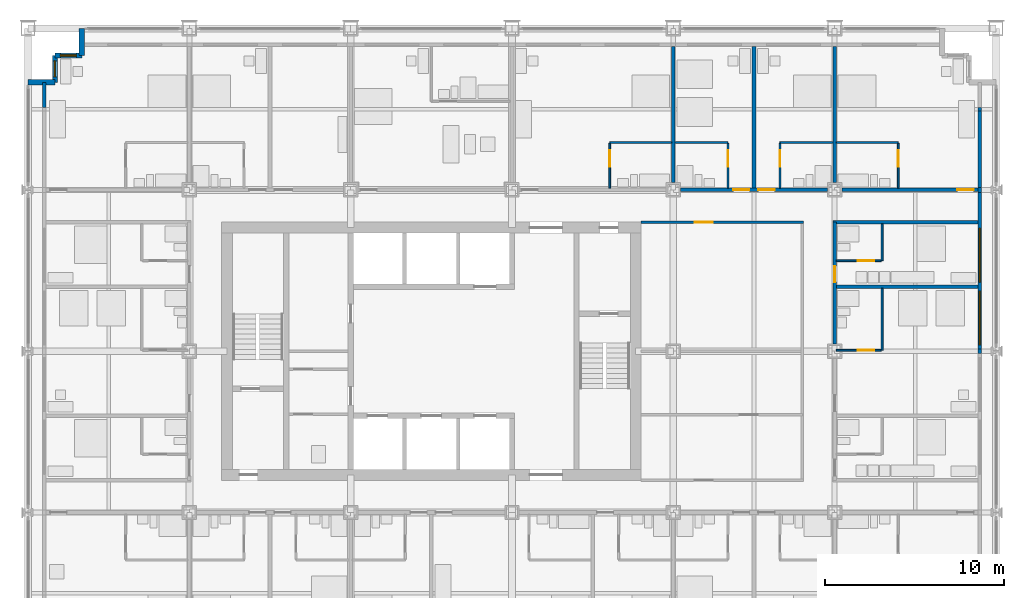
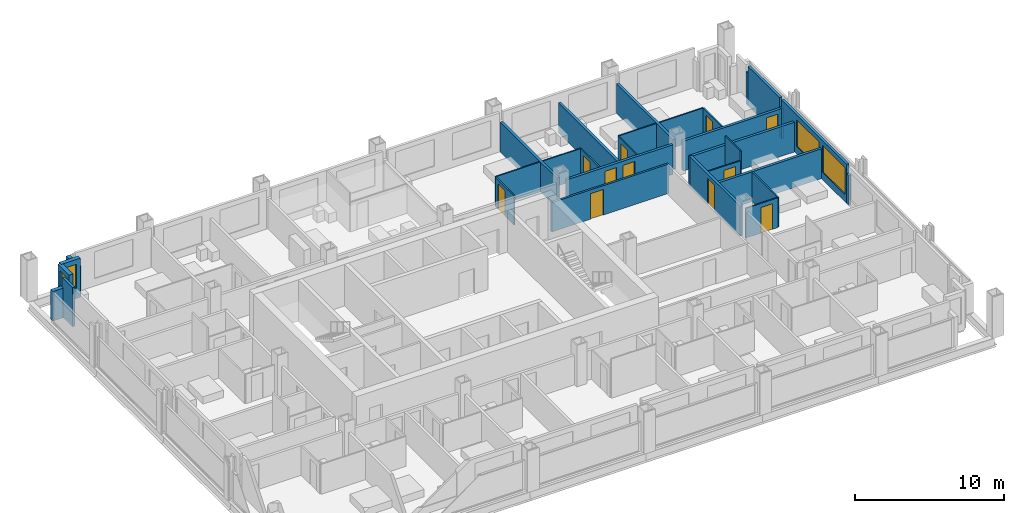
# One storey, part 14 of 18: 31 walls, 11 doors, 4 windows, 15 openings.
"""IFC4 building model written with IfcOpenShell, lengths in metres."""

import ifcopenshell
import ifcopenshell.guid

model = None  # the IFC model being written
_history = None  # IfcOwnerHistory: only IFC2X3 demands one
_inside = {}  # id of a spatial element -> (the spatial element, [elements in it])
_under = {}  # id of a project, library or spatial element -> (it, [spatial elements below it])
_declared = {}  # id of a project -> (the project, [libraries it declares])
_typed = {}  # id of a type object -> (the type object, [elements of that type])
_made_of = {}  # id of a material, layer set ... -> (it, [elements and type objects made of it])


def new_model(schema):
    """Start an empty IFC model of exactly this schema.

    Asked for "IFC4X3", IfcOpenShell would pick the latest addendum, in which some entities
    have other attributes; the version numbers below select the first issue.
    IFC2X3 requires an IfcOwnerHistory on every rooted entity: one is made here for all.
    """
    global model, _history
    if schema == "IFC4X3":
        model = ifcopenshell.file(schema_version=(4, 3, 0, 0))
    else:
        model = ifcopenshell.file(schema=schema)
    _inside.clear()
    _under.clear()
    _declared.clear()
    _typed.clear()
    _made_of.clear()
    _history = None
    if model.schema == "IFC2X3":
        org = make("IfcOrganization", Name="unknown")
        user = make(
            "IfcPersonAndOrganization",
            ThePerson=make("IfcPerson", FamilyName="unknown"),
            TheOrganization=org,
        )
        app = make(
            "IfcApplication",
            ApplicationDeveloper=org,
            Version="unknown",
            ApplicationFullName="unknown",
            ApplicationIdentifier="unknown",
        )
        _history = make(
            "IfcOwnerHistory",
            OwningUser=user,
            OwningApplication=app,
            ChangeAction="ADDED",
            CreationDate=0,
        )
    return model


def make(cls, **values):
    """One entity of the class cls with the attributes given. An attribute that is None is left unset."""
    return model.create_entity(
        cls, **{name: value for name, value in values.items() if value is not None}
    )


def rooted(cls, **values):
    """An entity with a GlobalId (a new one), such as an element, a storey or a relation."""
    return make(cls, GlobalId=ifcopenshell.guid.new(), OwnerHistory=_history, **values)


def si_unit(unit_type, name, prefix=None):
    """IfcSIUnit, for example si_unit("LENGTHUNIT", "METRE", prefix="MILLI")."""
    return make("IfcSIUnit", UnitType=unit_type, Prefix=prefix, Name=name)


def assignment(units):
    """IfcUnitAssignment: the units of a project."""
    return None if units is None else make("IfcUnitAssignment", Units=units)


def point(xyz):
    """IfcCartesianPoint."""
    return None if xyz is None else make("IfcCartesianPoint", Coordinates=xyz)


def direction(xyz):
    """IfcDirection."""
    return None if xyz is None else make("IfcDirection", DirectionRatios=xyz)


def frame(location, z_axis=None, x_axis=None):
    """IfcAxis2Placement3D, a coordinate frame: its origin and axes. An axis left out is left unset."""
    return make(
        "IfcAxis2Placement3D",
        Location=point(location),
        Axis=direction(z_axis),
        RefDirection=direction(x_axis),
    )


def frame_2d(location, x_axis=None):
    """IfcAxis2Placement2D, a coordinate frame in the plane: its origin and x axis."""
    return make(
        "IfcAxis2Placement2D", Location=point(location), RefDirection=direction(x_axis)
    )


def origin():
    """The frame at (0, 0, 0) with its axes left unset."""
    return frame((0.0, 0.0, 0.0))


def place(relative_to, where):
    """IfcLocalPlacement: puts the frame where relative to a parent placement (None: the world)."""
    return make(
        "IfcLocalPlacement", PlacementRelTo=relative_to, RelativePlacement=where
    )


def context(
    kind, dimensions, precision=None, world=None, true_north=None, identifier=None
):
    """IfcGeometricRepresentationContext, for example the 3D "Model" context."""
    return make(
        "IfcGeometricRepresentationContext",
        ContextIdentifier=identifier,
        ContextType=kind,
        CoordinateSpaceDimension=dimensions,
        Precision=precision,
        WorldCoordinateSystem=world,
        TrueNorth=true_north,
    )


def subcontext(parent, identifier, kind, view, scale=None):
    """IfcGeometricRepresentationSubContext, for example "Body" below "Model"."""
    return make(
        "IfcGeometricRepresentationSubContext",
        ContextIdentifier=identifier,
        ContextType=kind,
        ParentContext=parent,
        TargetScale=scale,
        TargetView=view,
    )


def project(units=None, contexts=None):
    """IfcProject with its units and contexts."""
    return rooted(
        "IfcProject",
        Name="project",
        RepresentationContexts=contexts,
        UnitsInContext=assignment(units),
    )


def spatial(cls, under=None, at=None, **own):
    """A site, building, storey or space (cls), placed at a placement, below another one or the project."""
    s = rooted(cls, ObjectPlacement=at, **own)
    if under is not None:
        _under.setdefault(under.id(), (under, []))[1].append(s)
    return s


def profile(cls, at=None, kind="AREA", **sizes):
    """A parametric profile (cls). Its sizes go by their IFC names, for example OverallWidth=200.0."""
    return make(cls, ProfileType=kind, Position=at, **sizes)


def rectangle(**sizes):
    """IfcRectangleProfileDef."""
    return profile("IfcRectangleProfileDef", **sizes)


def extrude(swept, where, along, depth):
    """IfcExtrudedAreaSolid: the profile swept, set in the frame where, extruded along a direction by depth."""
    return make(
        "IfcExtrudedAreaSolid",
        SweptArea=swept,
        Position=where,
        ExtrudedDirection=direction(along),
        Depth=depth,
    )


def shape(context_of_items, identifier, shape_type, items):
    """IfcShapeRepresentation: the items that make up one representation, for example the "Body"."""
    return make(
        "IfcShapeRepresentation",
        ContextOfItems=context_of_items,
        RepresentationIdentifier=identifier,
        RepresentationType=shape_type,
        Items=items,
    )


def material(Name=None, Category=None):
    """IfcMaterial."""
    return make("IfcMaterial", Name=Name, Category=Category)


def layer(
    of_material, thickness, ventilated=None, Name=None, Category=None, Priority=None
):
    """IfcMaterialLayer: one layer of a wall or slab, of a material (None: an air gap)."""
    return make(
        "IfcMaterialLayer",
        Material=of_material,
        LayerThickness=thickness,
        IsVentilated=ventilated,
        Name=Name,
        Category=Category,
        Priority=Priority,
    )


def layer_set(layers, Name=None):
    """IfcMaterialLayerSet."""
    return make("IfcMaterialLayerSet", MaterialLayers=layers, LayerSetName=Name)


def made_of(thing, what):
    """Note that an element or type object is made of a material, layer set ...; save() writes the relation."""
    if what is not None:
        _made_of.setdefault(what.id(), (what, []))[1].append(thing)
    return thing


def type_object(cls, material=None, **own):
    """A type object (cls), such as IfcWallType, which elements share."""
    return made_of(rooted(cls, **own), material)


def element(
    cls,
    number,
    at=None,
    inside=None,
    cuts=None,
    type_object=None,
    material=None,
    context=None,
    identifier="Body",
    shape_type=None,
    held_by="IfcProductDefinitionShape",
    body=None,
    shapes=None,
    **own,
):
    """One element of the class cls, such as IfcWall. Its Tag is "e" and its number.

    at: its placement. inside: the storey or other place that contains it. cuts: it is an
    opening in that element (IfcRelVoidsElement). A single representation is given by context,
    identifier, shape_type and body (its items); several are given by shapes. held_by: the class
    of the entity that holds the representations. save() writes the other relations.
    """
    e = rooted(cls, Tag="e%d" % number, ObjectPlacement=at, **own)
    if body is not None:
        shapes = [shape(context, identifier, shape_type, body)]
    if shapes is not None:
        e.Representation = make(held_by, Representations=shapes)
    if inside is not None:
        _inside.setdefault(inside.id(), (inside, []))[1].append(e)
    if cuts is not None:
        rooted(
            "IfcRelVoidsElement", RelatingBuildingElement=cuts, RelatedOpeningElement=e
        )
    if type_object is not None:
        _typed.setdefault(type_object.id(), (type_object, []))[1].append(e)
    return made_of(e, material)


def fill(opening, filler):
    """IfcRelFillsElement: the door or window that sits in an opening."""
    return rooted(
        "IfcRelFillsElement",
        RelatingOpeningElement=opening,
        RelatedBuildingElement=filler,
    )


def aggregate(whole, parts):
    """IfcRelAggregates: a whole, such as a stair, and the parts it consists of."""
    return rooted("IfcRelAggregates", RelatingObject=whole, RelatedObjects=parts)


def save(model, path):
    """Write the relations noted so far, then the file.

    IfcRelAggregates (storeys below a building ...), IfcRelContainedInSpatialStructure (elements
    in a storey), IfcRelDefinesByType, IfcRelAssociatesMaterial and IfcRelDeclares: one each for
    every whole, place, type object, material and project.
    """
    for whole, parts in _under.values():
        aggregate(whole, parts)
    for where, things in _inside.values():
        rooted(
            "IfcRelContainedInSpatialStructure",
            RelatedElements=things,
            RelatingStructure=where,
        )
    for kind, things in _typed.values():
        rooted("IfcRelDefinesByType", RelatedObjects=things, RelatingType=kind)
    for what, things in _made_of.values():
        rooted("IfcRelAssociatesMaterial", RelatedObjects=things, RelatingMaterial=what)
    for by, libraries in _declared.values():
        rooted("IfcRelDeclares", RelatingContext=by, RelatedDefinitions=libraries)
    model.write(path)


model = new_model("IFC4")

# Units and contexts
model_context = context("Model", 3, precision=1e-05, world=origin(), true_north=direction((0.0, 1.0)))
body_context = subcontext(model_context, "Body", "Model", "MODEL_VIEW")
ifc_project = project(units=[si_unit("LENGTHUNIT", "METRE"), si_unit("AREAUNIT", "SQUARE_METRE"), si_unit("VOLUMEUNIT", "CUBIC_METRE"), si_unit("PLANEANGLEUNIT", "RADIAN"), si_unit("MASSUNIT", "GRAM", prefix="KILO")], contexts=[model_context])

# Site, building, storey
site_placement = place(None, origin())
site = spatial("IfcSite", under=ifc_project, at=site_placement, CompositionType="ELEMENT")
building_placement = place(site_placement, origin())
building = spatial("IfcBuilding", under=site, at=building_placement, Name="Loomwork Tower", CompositionType="ELEMENT")
storey_placement = place(building_placement, frame((0.0, 0.0, 82.39990234375)))
storey = spatial("IfcBuildingStorey", under=building, at=storey_placement, Name="L21", CompositionType="ELEMENT", Elevation=82.39990234375)

# Wall, openings, doors
ifc_material_1 = material(Name="Gypsum board on steel studs, one-hour", Category="steel")
ifc_layer_1 = layer(ifc_material_1, 0.199951171875)
ifc_layer_set_1 = layer_set([ifc_layer_1], Name="Corridor wall 200")
wall_type_1 = type_object("IfcWallType", Name="Corridor wall 200", PredefinedType="PARTITIONING", material=ifc_layer_set_1)
wall_1_placement = place(storey_placement, frame((36.39990234375, 27.0, 0.0), z_axis=(0.0, 0.0, 1.0), x_axis=(1.0, 0.0, 0.0)))
wall_1 = element("IfcWall", 1, at=wall_1_placement, inside=storey, type_object=wall_type_1, Name="North corridor wall 5", PredefinedType="PARTITIONING", context=body_context, shape_type="SweptSolid", body=[
    extrude(rectangle(XDim=8.2001953125, YDim=0.199951171875, at=frame_2d((4.10009765625, 0.0))), origin(), (0.0, 0.0, 1.0), 2.43798828125),
])
opening_1_placement = place(wall_1_placement, frame((2.949951171875, 0.0, 0.0)))
opening_1 = element("IfcOpeningElement", 2, at=opening_1_placement, cuts=wall_1, Name="Opening D1", PredefinedType="OPENING", context=body_context, shape_type="SweptSolid", body=[
    extrude(rectangle(XDim=0.89990234375, YDim=2.10009765625, at=frame_2d((0.449951171875, 1.050048828125))), frame((0.0, 0.10986328125, 0.0), z_axis=(0.0, -1.0, 0.0), x_axis=(1.0, 0.0, 0.0)), (0.0, 0.0, 1.0), 0.219970703125),
])
opening_2_placement = place(wall_1_placement, frame((4.35009765625, 0.0, 0.0)))
opening_2 = element("IfcOpeningElement", 3, at=opening_2_placement, cuts=wall_1, Name="Opening D1", PredefinedType="OPENING", context=body_context, shape_type="SweptSolid", body=[
    extrude(rectangle(XDim=0.89990234375, YDim=2.10009765625, at=frame_2d((0.449951171875, 1.050048828125))), frame((0.0, 0.10986328125, 0.0), z_axis=(0.0, -1.0, 0.0), x_axis=(1.0, 0.0, 0.0)), (0.0, 0.0, 1.0), 0.219970703125),
])
ifc_material_2 = material(Name="Hollow metal door and frame")
door_type_1 = type_object("IfcDoorType", Name="Guest room entry door 900", OperationType="SINGLE_SWING_LEFT", PredefinedType="DOOR", material=ifc_material_2)
door_1_placement = place(opening_1_placement, origin())
door_1 = element("IfcDoor", 4, at=door_1_placement, inside=storey, type_object=door_type_1, Name="Guest room entry door L21 15", OperationType="SINGLE_SWING_RIGHT", OverallHeight=2.10009765625, OverallWidth=0.89990234375, PredefinedType="DOOR", context=body_context, shape_type="SweptSolid", body=[
    extrude(rectangle(XDim=0.89990234375, YDim=2.10009765625, at=frame_2d((0.449951171875, 1.050048828125))), frame((0.0, 0.02490234375, 0.0), z_axis=(0.0, -1.0, 0.0), x_axis=(1.0, 0.0, 0.0)), (0.0, 0.0, 1.0), 0.050048828125),
])
fill(opening_1, door_1)
door_2_placement = place(opening_2_placement, origin())
door_2 = element("IfcDoor", 5, at=door_2_placement, inside=storey, type_object=door_type_1, Name="Guest room entry door L21 16", OperationType="SINGLE_SWING_LEFT", OverallHeight=2.10009765625, OverallWidth=0.89990234375, PredefinedType="DOOR", context=body_context, shape_type="SweptSolid", body=[
    extrude(rectangle(XDim=0.89990234375, YDim=2.10009765625, at=frame_2d((0.449951171875, 1.050048828125))), frame((0.0, 0.02490234375, 0.0), z_axis=(0.0, -1.0, 0.0), x_axis=(1.0, 0.0, 0.0)), (0.0, 0.0, 1.0), 0.050048828125),
])
fill(opening_2, door_2)

# Wall, opening, door
wall_2_placement = place(storey_placement, frame((45.39990234375, 27.0, 0.0), z_axis=(0.0, 0.0, 1.0), x_axis=(1.0, 0.0, 0.0)))
wall_2 = element("IfcWall", 6, at=wall_2_placement, inside=storey, type_object=wall_type_1, Name="North corridor wall 6", PredefinedType="PARTITIONING", context=body_context, shape_type="SweptSolid", body=[
    extrude(rectangle(XDim=7.60009765625, YDim=0.199951171875, at=frame_2d((3.800048828125, 0.0))), origin(), (0.0, 0.0, 1.0), 2.43798828125),
])
opening_3_placement = place(wall_2_placement, frame((6.449951171875, 0.0, 0.0)))
opening_3 = element("IfcOpeningElement", 7, at=opening_3_placement, cuts=wall_2, Name="Opening D1", PredefinedType="OPENING", context=body_context, shape_type="SweptSolid", body=[
    extrude(rectangle(XDim=0.89990234375, YDim=2.10009765625, at=frame_2d((0.449951171875, 1.050048828125))), frame((0.0, 0.10986328125, 0.0), z_axis=(0.0, -1.0, 0.0), x_axis=(1.0, 0.0, 0.0)), (0.0, 0.0, 1.0), 0.219970703125),
])
door_3_placement = place(opening_3_placement, origin())
door_3 = element("IfcDoor", 8, at=door_3_placement, inside=storey, type_object=door_type_1, Name="Guest room entry door L21 17", OperationType="SINGLE_SWING_RIGHT", OverallHeight=2.10009765625, OverallWidth=0.89990234375, PredefinedType="DOOR", context=body_context, shape_type="SweptSolid", body=[
    extrude(rectangle(XDim=0.89990234375, YDim=2.10009765625, at=frame_2d((0.449951171875, 1.050048828125))), frame((0.0, 0.02490234375, 0.0), z_axis=(0.0, -1.0, 0.0), x_axis=(1.0, 0.0, 0.0)), (0.0, 0.0, 1.0), 0.050048828125),
])
fill(opening_3, door_3)

wall_3_placement = place(storey_placement, frame((45.0, 18.39990234375, 0.0), z_axis=(0.0, 0.0, 1.0), x_axis=(0.0, 1.0, 0.0)))
wall_3 = element("IfcWall", 9, at=wall_3_placement, inside=storey, type_object=wall_type_1, Name="East corridor wall 2", PredefinedType="PARTITIONING", context=body_context, shape_type="SweptSolid", body=[
    extrude(rectangle(XDim=6.800048828125, YDim=0.199951171875, at=frame_2d((3.39990234375, 0.0))), origin(), (0.0, 0.0, 1.0), 2.43798828125),
])
opening_4_placement = place(wall_3_placement, frame((3.449951171875, 0.0, 0.0)))
opening_4 = element("IfcOpeningElement", 10, at=opening_4_placement, cuts=wall_3, Name="Opening D1", PredefinedType="OPENING", context=body_context, shape_type="SweptSolid", body=[
    extrude(rectangle(XDim=0.89990234375, YDim=2.10009765625, at=frame_2d((0.449951171875, 1.050048828125))), frame((0.0, 0.10986328125, 0.0), z_axis=(0.0, -1.0, 0.0), x_axis=(1.0, 0.0, 0.0)), (0.0, 0.0, 1.0), 0.219970703125),
])
door_4_placement = place(opening_4_placement, frame((0.89990234375, 0.0, 0.0), z_axis=(0.0, 0.0, 1.0), x_axis=(-1.0, 0.0, 0.0)))
door_4 = element("IfcDoor", 11, at=door_4_placement, inside=storey, type_object=door_type_1, Name="Guest room entry door L21 23", OperationType="SINGLE_SWING_RIGHT", OverallHeight=2.10009765625, OverallWidth=0.89990234375, PredefinedType="DOOR", context=body_context, shape_type="SweptSolid", body=[
    extrude(rectangle(XDim=0.89990234375, YDim=2.10009765625, at=frame_2d((0.449951171875, 1.050048828125))), frame((0.0, 0.02490234375, 0.0), z_axis=(0.0, -1.0, 0.0), x_axis=(1.0, 0.0, 0.0)), (0.0, 0.0, 1.0), 0.050048828125),
])
fill(opening_4, door_4)

# Walls
wall_4_placement = place(storey_placement, frame((44.89990234375, 25.199951171875, 0.0), z_axis=(0.0, 0.0, 1.0), x_axis=(1.0, 0.0, 0.0)))
element("IfcWall", 12, at=wall_4_placement, inside=storey, type_object=wall_type_1, Name="East band end wall N", PredefinedType="PARTITIONING", context=body_context, shape_type="SweptSolid", body=[
    extrude(rectangle(XDim=8.10009765625, YDim=0.199951171875, at=frame_2d((4.050048828125, 0.0))), origin(), (0.0, 0.0, 1.0), 2.43798828125),
])
ifc_material_3 = material(Name="Cement board on steel studs", Category="steel")
ifc_layer_2 = layer(ifc_material_3, 0.10009765625)
ifc_layer_set_2 = layer_set([ifc_layer_2], Name="En-suite partition 100")
wall_type_2 = type_object("IfcWallType", Name="En-suite partition 100", PredefinedType="PARTITIONING", material=ifc_layer_set_2)
wall_5_placement = place(storey_placement, frame((32.449951171875, 29.64990234375, 0.0), z_axis=(0.0, 0.0, 1.0), x_axis=(1.0, 0.0, 0.0)))
element("IfcWall", 13, at=wall_5_placement, inside=storey, type_object=wall_type_2, Name="En-suite wall L21 room 14", PredefinedType="PARTITIONING", context=body_context, shape_type="SweptSolid", body=[
    extrude(rectangle(XDim=3.449951171875, YDim=0.10009765625, at=frame_2d((1.72509765625, 0.0))), origin(), (0.0, 0.0, 1.0), 2.43798828125),
])

# Wall, opening, door
wall_6_placement = place(storey_placement, frame((32.449951171875, 27.10009765625, 0.0), z_axis=(0.0, 0.0, 1.0), x_axis=(0.0, 1.0, 0.0)))
wall_6 = element("IfcWall", 14, at=wall_6_placement, inside=storey, type_object=wall_type_2, Name="En-suite side wall L21 room 14", PredefinedType="PARTITIONING", context=body_context, shape_type="SweptSolid", body=[
    extrude(rectangle(XDim=2.5, YDim=0.10009765625, at=frame_2d((1.25, 0.0))), origin(), (0.0, 0.0, 1.0), 2.404052734375),
])
opening_5_placement = place(wall_6_placement, frame((1.199951171875, 0.0, 0.0)))
opening_5 = element("IfcOpeningElement", 15, at=opening_5_placement, cuts=wall_6, Name="Opening D2", PredefinedType="OPENING", context=body_context, shape_type="SweptSolid", body=[
    extrude(rectangle(XDim=0.89990234375, YDim=2.10009765625, at=frame_2d((0.449951171875, 1.050048828125))), frame((0.0, 0.06005859375, 0.0), z_axis=(0.0, -1.0, 0.0), x_axis=(1.0, 0.0, 0.0)), (0.0, 0.0, 1.0), 0.1201171875),
])
ifc_material_4 = material(Name="Hollow metal door and frame")
door_type_2 = type_object("IfcDoorType", Name="En-suite door 900", OperationType="SINGLE_SWING_LEFT", PredefinedType="DOOR", material=ifc_material_4)
door_5_placement = place(opening_5_placement, frame((0.89990234375, 0.0, 0.0), z_axis=(0.0, 0.0, 1.0), x_axis=(-1.0, 0.0, 0.0)))
door_5 = element("IfcDoor", 16, at=door_5_placement, inside=storey, type_object=door_type_2, Name="En-suite door room 14", OperationType="SINGLE_SWING_LEFT", OverallHeight=2.10009765625, OverallWidth=0.89990234375, PredefinedType="DOOR", context=body_context, shape_type="SweptSolid", body=[
    extrude(rectangle(XDim=0.89990234375, YDim=2.10009765625, at=frame_2d((0.449951171875, 1.050048828125))), frame((0.0, 0.02490234375, 0.0), z_axis=(0.0, -1.0, 0.0), x_axis=(1.0, 0.0, 0.0)), (0.0, 0.0, 1.0), 0.050048828125),
])
fill(opening_5, door_5)

# Wall
wall_7_placement = place(storey_placement, frame((36.10009765625, 29.64990234375, 0.0), z_axis=(0.0, 0.0, 1.0), x_axis=(1.0, 0.0, 0.0)))
element("IfcWall", 17, at=wall_7_placement, inside=storey, type_object=wall_type_2, Name="En-suite wall L21 room 15", PredefinedType="PARTITIONING", context=body_context, shape_type="SweptSolid", body=[
    extrude(rectangle(XDim=2.949951171875, YDim=0.10009765625, at=frame_2d((1.47509765625, 0.0))), origin(), (0.0, 0.0, 1.0), 2.43798828125),
])

# Wall, opening, door
wall_8_placement = place(storey_placement, frame((39.050048828125, 27.10009765625, 0.0), z_axis=(0.0, 0.0, 1.0), x_axis=(0.0, 1.0, 0.0)))
wall_8 = element("IfcWall", 18, at=wall_8_placement, inside=storey, type_object=wall_type_2, Name="En-suite side wall L21 room 15", PredefinedType="PARTITIONING", context=body_context, shape_type="SweptSolid", body=[
    extrude(rectangle(XDim=2.5, YDim=0.10009765625, at=frame_2d((1.25, 0.0))), origin(), (0.0, 0.0, 1.0), 2.43798828125),
])
opening_6_placement = place(wall_8_placement, frame((1.199951171875, 0.0, 0.0)))
opening_6 = element("IfcOpeningElement", 19, at=opening_6_placement, cuts=wall_8, Name="Opening D2", PredefinedType="OPENING", context=body_context, shape_type="SweptSolid", body=[
    extrude(rectangle(XDim=0.89990234375, YDim=2.10009765625, at=frame_2d((0.449951171875, 1.050048828125))), frame((0.0, 0.06005859375, 0.0), z_axis=(0.0, -1.0, 0.0), x_axis=(1.0, 0.0, 0.0)), (0.0, 0.0, 1.0), 0.1201171875),
])
door_6_placement = place(opening_6_placement, origin())
door_6 = element("IfcDoor", 20, at=door_6_placement, inside=storey, type_object=door_type_2, Name="En-suite door room 15", OperationType="SINGLE_SWING_RIGHT", OverallHeight=2.10009765625, OverallWidth=0.89990234375, PredefinedType="DOOR", context=body_context, shape_type="SweptSolid", body=[
    extrude(rectangle(XDim=0.89990234375, YDim=2.10009765625, at=frame_2d((0.449951171875, 1.050048828125))), frame((0.0, 0.02490234375, 0.0), z_axis=(0.0, -1.0, 0.0), x_axis=(1.0, 0.0, 0.0)), (0.0, 0.0, 1.0), 0.050048828125),
])
fill(opening_6, door_6)

# Wall
wall_9_placement = place(storey_placement, frame((41.949951171875, 29.64990234375, 0.0), z_axis=(0.0, 0.0, 1.0), x_axis=(1.0, 0.0, 0.0)))
element("IfcWall", 21, at=wall_9_placement, inside=storey, type_object=wall_type_2, Name="En-suite wall L21 room 16", PredefinedType="PARTITIONING", context=body_context, shape_type="SweptSolid", body=[
    extrude(rectangle(XDim=2.949951171875, YDim=0.10009765625, at=frame_2d((1.47509765625, 0.0))), origin(), (0.0, 0.0, 1.0), 2.43798828125),
])

# Wall, opening, door
wall_10_placement = place(storey_placement, frame((41.949951171875, 27.10009765625, 0.0), z_axis=(0.0, 0.0, 1.0), x_axis=(0.0, 1.0, 0.0)))
wall_10 = element("IfcWall", 22, at=wall_10_placement, inside=storey, type_object=wall_type_2, Name="En-suite side wall L21 room 16", PredefinedType="PARTITIONING", context=body_context, shape_type="SweptSolid", body=[
    extrude(rectangle(XDim=2.5, YDim=0.10009765625, at=frame_2d((1.25, 0.0))), origin(), (0.0, 0.0, 1.0), 2.43798828125),
])
opening_7_placement = place(wall_10_placement, frame((1.199951171875, 0.0, 0.0)))
opening_7 = element("IfcOpeningElement", 23, at=opening_7_placement, cuts=wall_10, Name="Opening D2", PredefinedType="OPENING", context=body_context, shape_type="SweptSolid", body=[
    extrude(rectangle(XDim=0.89990234375, YDim=2.10009765625, at=frame_2d((0.449951171875, 1.050048828125))), frame((0.0, 0.06005859375, 0.0), z_axis=(0.0, -1.0, 0.0), x_axis=(1.0, 0.0, 0.0)), (0.0, 0.0, 1.0), 0.1201171875),
])
door_7_placement = place(opening_7_placement, frame((0.89990234375, 0.0, 0.0), z_axis=(0.0, 0.0, 1.0), x_axis=(-1.0, 0.0, 0.0)))
door_7 = element("IfcDoor", 24, at=door_7_placement, inside=storey, type_object=door_type_2, Name="En-suite door room 16", OperationType="SINGLE_SWING_LEFT", OverallHeight=2.10009765625, OverallWidth=0.89990234375, PredefinedType="DOOR", context=body_context, shape_type="SweptSolid", body=[
    extrude(rectangle(XDim=0.89990234375, YDim=2.10009765625, at=frame_2d((0.449951171875, 1.050048828125))), frame((0.0, 0.02490234375, 0.0), z_axis=(0.0, -1.0, 0.0), x_axis=(1.0, 0.0, 0.0)), (0.0, 0.0, 1.0), 0.050048828125),
])
fill(opening_7, door_7)

# Wall
wall_11_placement = place(storey_placement, frame((45.10009765625, 29.64990234375, 0.0), z_axis=(0.0, 0.0, 1.0), x_axis=(1.0, 0.0, 0.0)))
element("IfcWall", 25, at=wall_11_placement, inside=storey, type_object=wall_type_2, Name="En-suite wall L21 room 17", PredefinedType="PARTITIONING", context=body_context, shape_type="SweptSolid", body=[
    extrude(rectangle(XDim=3.449951171875, YDim=0.10009765625, at=frame_2d((1.72509765625, 0.0))), origin(), (0.0, 0.0, 1.0), 2.43798828125),
])

# Wall, opening, door
wall_12_placement = place(storey_placement, frame((48.550048828125, 27.10009765625, 0.0), z_axis=(0.0, 0.0, 1.0), x_axis=(0.0, 1.0, 0.0)))
wall_12 = element("IfcWall", 26, at=wall_12_placement, inside=storey, type_object=wall_type_2, Name="En-suite side wall L21 room 17", PredefinedType="PARTITIONING", context=body_context, shape_type="SweptSolid", body=[
    extrude(rectangle(XDim=2.5, YDim=0.10009765625, at=frame_2d((1.25, 0.0))), origin(), (0.0, 0.0, 1.0), 2.43798828125),
])
opening_8_placement = place(wall_12_placement, frame((1.199951171875, 0.0, 0.0)))
opening_8 = element("IfcOpeningElement", 27, at=opening_8_placement, cuts=wall_12, Name="Opening D2", PredefinedType="OPENING", context=body_context, shape_type="SweptSolid", body=[
    extrude(rectangle(XDim=0.89990234375, YDim=2.10009765625, at=frame_2d((0.449951171875, 1.050048828125))), frame((0.0, 0.06005859375, 0.0), z_axis=(0.0, -1.0, 0.0), x_axis=(1.0, 0.0, 0.0)), (0.0, 0.0, 1.0), 0.1201171875),
])
door_8_placement = place(opening_8_placement, origin())
door_8 = element("IfcDoor", 28, at=door_8_placement, inside=storey, type_object=door_type_2, Name="En-suite door room 17", OperationType="SINGLE_SWING_RIGHT", OverallHeight=2.10009765625, OverallWidth=0.89990234375, PredefinedType="DOOR", context=body_context, shape_type="SweptSolid", body=[
    extrude(rectangle(XDim=0.89990234375, YDim=2.10009765625, at=frame_2d((0.449951171875, 1.050048828125))), frame((0.0, 0.02490234375, 0.0), z_axis=(0.0, -1.0, 0.0), x_axis=(1.0, 0.0, 0.0)), (0.0, 0.0, 1.0), 0.050048828125),
])
fill(opening_8, door_8)

# Wall
wall_13_placement = place(storey_placement, frame((47.64990234375, 18.050048828125, 0.0), z_axis=(0.0, 0.0, 1.0), x_axis=(0.0, 1.0, 0.0)))
element("IfcWall", 29, at=wall_13_placement, inside=storey, type_object=wall_type_2, Name="En-suite wall L21 room 22", PredefinedType="PARTITIONING", context=body_context, shape_type="SweptSolid", body=[
    extrude(rectangle(XDim=3.449951171875, YDim=0.10009765625, at=frame_2d((1.72509765625, 0.0))), origin(), (0.0, 0.0, 1.0), 2.43798828125),
])

# Wall, opening, door
wall_14_placement = place(storey_placement, frame((45.10009765625, 18.050048828125, 0.0), z_axis=(0.0, 0.0, 1.0), x_axis=(1.0, 0.0, 0.0)))
wall_14 = element("IfcWall", 30, at=wall_14_placement, inside=storey, type_object=wall_type_2, Name="En-suite side wall L21 room 22", PredefinedType="PARTITIONING", context=body_context, shape_type="SweptSolid", body=[
    extrude(rectangle(XDim=2.5, YDim=0.10009765625, at=frame_2d((1.25, 0.0))), origin(), (0.0, 0.0, 1.0), 2.43798828125),
])
opening_9_placement = place(wall_14_placement, frame((1.199951171875, 0.0, 0.0)))
opening_9 = element("IfcOpeningElement", 31, at=opening_9_placement, cuts=wall_14, Name="Opening D2", PredefinedType="OPENING", context=body_context, shape_type="SweptSolid", body=[
    extrude(rectangle(XDim=0.89990234375, YDim=2.10009765625, at=frame_2d((0.449951171875, 1.050048828125))), frame((0.0, 0.06005859375, 0.0), z_axis=(0.0, -1.0, 0.0), x_axis=(1.0, 0.0, 0.0)), (0.0, 0.0, 1.0), 0.1201171875),
])
door_9_placement = place(opening_9_placement, origin())
door_9 = element("IfcDoor", 32, at=door_9_placement, inside=storey, type_object=door_type_2, Name="En-suite door room 22", OperationType="SINGLE_SWING_RIGHT", OverallHeight=2.10009765625, OverallWidth=0.89990234375, PredefinedType="DOOR", context=body_context, shape_type="SweptSolid", body=[
    extrude(rectangle(XDim=0.89990234375, YDim=2.10009765625, at=frame_2d((0.449951171875, 1.050048828125))), frame((0.0, 0.02490234375, 0.0), z_axis=(0.0, -1.0, 0.0), x_axis=(1.0, 0.0, 0.0)), (0.0, 0.0, 1.0), 0.050048828125),
])
fill(opening_9, door_9)

# Wall
wall_15_placement = place(storey_placement, frame((47.64990234375, 23.050048828125, 0.0), z_axis=(0.0, 0.0, 1.0), x_axis=(0.0, 1.0, 0.0)))
element("IfcWall", 33, at=wall_15_placement, inside=storey, type_object=wall_type_2, Name="En-suite wall L21 room 23", PredefinedType="PARTITIONING", context=body_context, shape_type="SweptSolid", body=[
    extrude(rectangle(XDim=2.050048828125, YDim=0.10009765625, at=frame_2d((1.02490234375, 0.0))), origin(), (0.0, 0.0, 1.0), 3.2001953125),
])

# Wall, opening, door
wall_16_placement = place(storey_placement, frame((45.10009765625, 23.050048828125, 0.0), z_axis=(0.0, 0.0, 1.0), x_axis=(1.0, 0.0, 0.0)))
wall_16 = element("IfcWall", 34, at=wall_16_placement, inside=storey, type_object=wall_type_2, Name="En-suite side wall L21 room 23", PredefinedType="PARTITIONING", context=body_context, shape_type="SweptSolid", body=[
    extrude(rectangle(XDim=2.5, YDim=0.10009765625, at=frame_2d((1.25, 0.0))), origin(), (0.0, 0.0, 1.0), 2.43798828125),
])
opening_10_placement = place(wall_16_placement, frame((1.199951171875, 0.0, 0.0)))
opening_10 = element("IfcOpeningElement", 35, at=opening_10_placement, cuts=wall_16, Name="Opening D2", PredefinedType="OPENING", context=body_context, shape_type="SweptSolid", body=[
    extrude(rectangle(XDim=0.89990234375, YDim=2.10009765625, at=frame_2d((0.449951171875, 1.050048828125))), frame((0.0, 0.06005859375, 0.0), z_axis=(0.0, -1.0, 0.0), x_axis=(1.0, 0.0, 0.0)), (0.0, 0.0, 1.0), 0.1201171875),
])
door_10_placement = place(opening_10_placement, origin())
door_10 = element("IfcDoor", 36, at=door_10_placement, inside=storey, type_object=door_type_2, Name="En-suite door room 23", OperationType="SINGLE_SWING_RIGHT", OverallHeight=2.10009765625, OverallWidth=0.89990234375, PredefinedType="DOOR", context=body_context, shape_type="SweptSolid", body=[
    extrude(rectangle(XDim=0.89990234375, YDim=2.10009765625, at=frame_2d((0.449951171875, 1.050048828125))), frame((0.0, 0.02490234375, 0.0), z_axis=(0.0, -1.0, 0.0), x_axis=(1.0, 0.0, 0.0)), (0.0, 0.0, 1.0), 0.050048828125),
])
fill(opening_10, door_10)

# Walls
ifc_material_5 = material(Name="Gypsum board on steel studs, acoustic", Category="steel")
ifc_layer_3 = layer(ifc_material_5, 0.199951171875)
ifc_layer_set_3 = layer_set([ifc_layer_3], Name="Guest room party wall 200")
wall_type_3 = type_object("IfcWallType", Name="Guest room party wall 200", PredefinedType="PARTITIONING", material=ifc_layer_set_3)
wall_17_placement = place(storey_placement, frame((36.0, 27.39990234375, 0.0), z_axis=(0.0, 0.0, 1.0), x_axis=(0.0, 1.0, 0.0)))
element("IfcWall", 37, at=wall_17_placement, inside=storey, type_object=wall_type_3, Name="Guest room party wall N 36", PredefinedType="PARTITIONING", context=body_context, shape_type="SweptSolid", body=[
    extrude(rectangle(XDim=7.60009765625, YDim=0.199951171875, at=frame_2d((3.800048828125, 0.0))), origin(), (0.0, 0.0, 1.0), 2.43798828125),
])
wall_18_placement = place(storey_placement, frame((40.5, 27.10009765625, 0.0), z_axis=(0.0, 0.0, 1.0), x_axis=(0.0, 1.0, 0.0)))
element("IfcWall", 38, at=wall_18_placement, inside=storey, type_object=wall_type_3, Name="Guest room party wall N 40.5", PredefinedType="PARTITIONING", context=body_context, shape_type="SweptSolid", body=[
    extrude(rectangle(XDim=7.89990234375, YDim=0.199951171875, at=frame_2d((3.949951171875, 0.0))), origin(), (0.0, 0.0, 1.0), 2.43798828125),
])
wall_19_placement = place(storey_placement, frame((45.0, 27.39990234375, 0.0), z_axis=(0.0, 0.0, 1.0), x_axis=(0.0, 1.0, 0.0)))
element("IfcWall", 39, at=wall_19_placement, inside=storey, type_object=wall_type_3, Name="Guest room party wall N 45", PredefinedType="PARTITIONING", context=body_context, shape_type="SweptSolid", body=[
    extrude(rectangle(XDim=7.60009765625, YDim=0.199951171875, at=frame_2d((3.800048828125, 0.0))), origin(), (0.0, 0.0, 1.0), 2.43798828125),
])
wall_20_placement = place(storey_placement, frame((45.10009765625, 21.60009765625, 0.0), z_axis=(0.0, 0.0, 1.0), x_axis=(1.0, 0.0, 0.0)))
element("IfcWall", 40, at=wall_20_placement, inside=storey, type_object=wall_type_3, Name="Guest room party wall E 21.6", PredefinedType="PARTITIONING", context=body_context, shape_type="SweptSolid", body=[
    extrude(rectangle(XDim=7.89990234375, YDim=0.199951171875, at=frame_2d((3.949951171875, 0.0))), origin(), (0.0, 0.0, 1.0), 2.43798828125),
])
ifc_material_6 = material(Name="Insulated steel stud wall with gypsum lining", Category="steel")
ifc_layer_4 = layer(ifc_material_6, 0.199951171875)
ifc_layer_set_4 = layer_set([ifc_layer_4], Name="Inner skin wall 200")
wall_type_4 = type_object("IfcWallType", Name="Inner skin wall 200", PredefinedType="SOLIDWALL", material=ifc_layer_set_4)
wall_21_placement = place(storey_placement, frame((0.89990234375, 31.607421875, 0.0), z_axis=(0.0, 0.0, 1.0), x_axis=(0.0, 1.0, 0.0)))
element("IfcWall", 41, at=wall_21_placement, inside=storey, type_object=wall_type_4, Name="Inner skin wall W bay 11", PredefinedType="SOLIDWALL", context=body_context, shape_type="SweptSolid", body=[
    extrude(rectangle(XDim=1.392578125, YDim=0.199951171875, at=frame_2d((0.6962890625, 0.0))), origin(), (0.0, 0.0, 1.0), 3.2001953125),
])
wall_22_placement = place(storey_placement, frame((53.10009765625, 17.864501953125, 0.0), z_axis=(0.0, 0.0, 1.0), x_axis=(0.0, 1.0, 0.0)))
element("IfcWall", 42, at=wall_22_placement, inside=storey, type_object=wall_type_4, Name="Inner skin wall E bay 6", PredefinedType="SOLIDWALL", context=body_context, shape_type="SweptSolid", body=[
    extrude(rectangle(XDim=0.27099609375, YDim=0.199951171875, at=frame_2d((0.135498046875, 0.0))), origin(), (0.0, 0.0, 1.0), 2.43798828125),
])

# Wall, openings, windows
wall_23_placement = place(storey_placement, frame((53.10009765625, 18.135498046875, 0.0), z_axis=(0.0, 0.0, 1.0), x_axis=(0.0, 1.0, 0.0)))
wall_23 = element("IfcWall", 43, at=wall_23_placement, inside=storey, type_object=wall_type_4, Name="Inner skin wall E bay 7", PredefinedType="SOLIDWALL", context=body_context, shape_type="SweptSolid", body=[
    extrude(rectangle(XDim=8.729248046875, YDim=0.199951171875, at=frame_2d((4.36474609375, 0.0))), origin(), (0.0, 0.0, 1.0), 3.2001953125),
])
opening_11_placement = place(wall_23_placement, frame((0.214599609375, 0.0, 0.60009765625)))
opening_11 = element("IfcOpeningElement", 44, at=opening_11_placement, cuts=wall_23, Name="Opening CH1", PredefinedType="OPENING", context=body_context, shape_type="SweptSolid", body=[
    extrude(rectangle(XDim=3.0, YDim=2.199951171875, at=frame_2d((1.5, 1.10009765625))), frame((0.0, 0.10986328125, 0.0), z_axis=(0.0, -1.0, 0.0), x_axis=(1.0, 0.0, 0.0)), (0.0, 0.0, 1.0), 0.219970703125),
])
opening_12_placement = place(wall_23_placement, frame((3.714599609375, 0.0, 0.60009765625)))
opening_12 = element("IfcOpeningElement", 45, at=opening_12_placement, cuts=wall_23, Name="Opening CH1", PredefinedType="OPENING", context=body_context, shape_type="SweptSolid", body=[
    extrude(rectangle(XDim=3.0, YDim=2.199951171875, at=frame_2d((1.5, 1.10009765625))), frame((0.0, 0.10986328125, 0.0), z_axis=(0.0, -1.0, 0.0), x_axis=(1.0, 0.0, 0.0)), (0.0, 0.0, 1.0), 0.219970703125),
])
ifc_material_7 = material(Name="Aluminium frame with clear insulated glass", Category="aluminium")
window_type_1 = type_object("IfcWindowType", Name="Chicago window 3000", PartitioningType="TRIPLE_PANEL_VERTICAL", PredefinedType="WINDOW", material=ifc_material_7)
window_1_placement = place(opening_11_placement, origin())
window_1 = element("IfcWindow", 46, at=window_1_placement, inside=storey, type_object=window_type_1, Name="Chicago window L21 bay 16", OverallHeight=2.199951171875, OverallWidth=3.0, PartitioningType="TRIPLE_PANEL_VERTICAL", PredefinedType="WINDOW", context=body_context, shape_type="SweptSolid", body=[
    extrude(rectangle(XDim=3.0, YDim=2.199951171875, at=frame_2d((1.5, 1.10009765625))), frame((0.0, 0.030029296875, 0.0), z_axis=(0.0, -1.0, 0.0), x_axis=(1.0, 0.0, 0.0)), (0.0, 0.0, 1.0), 0.06005859375),
])
fill(opening_11, window_1)
window_2_placement = place(opening_12_placement, origin())
window_2 = element("IfcWindow", 47, at=window_2_placement, inside=storey, type_object=window_type_1, Name="Chicago window L21 bay 16", OverallHeight=2.199951171875, OverallWidth=3.0, PartitioningType="TRIPLE_PANEL_VERTICAL", PredefinedType="WINDOW", context=body_context, shape_type="SweptSolid", body=[
    extrude(rectangle(XDim=3.0, YDim=2.199951171875, at=frame_2d((1.5, 1.10009765625))), frame((0.0, 0.030029296875, 0.0), z_axis=(0.0, -1.0, 0.0), x_axis=(1.0, 0.0, 0.0)), (0.0, 0.0, 1.0), 0.06005859375),
])
fill(opening_12, window_2)

# Walls
wall_24_placement = place(storey_placement, frame((53.10009765625, 26.86474609375, 0.0), z_axis=(0.0, 0.0, 1.0), x_axis=(0.0, 1.0, 0.0)))
element("IfcWall", 48, at=wall_24_placement, inside=storey, type_object=wall_type_4, Name="Inner skin wall E bay 8", PredefinedType="SOLIDWALL", context=body_context, shape_type="SweptSolid", body=[
    extrude(rectangle(XDim=0.2705078125, YDim=0.199951171875, at=frame_2d((0.13525390625, 0.0))), origin(), (0.0, 0.0, 1.0), 2.43798828125),
])
wall_25_placement = place(storey_placement, frame((53.10009765625, 27.13525390625, 0.0), z_axis=(0.0, 0.0, 1.0), x_axis=(0.0, 1.0, 0.0)))
element("IfcWall", 49, at=wall_25_placement, inside=storey, type_object=wall_type_4, Name="Inner skin wall E bay 9", PredefinedType="SOLIDWALL", context=body_context, shape_type="SweptSolid", body=[
    extrude(rectangle(XDim=4.25732421875, YDim=0.199951171875, at=frame_2d((2.128662109375, 0.0))), origin(), (0.0, 0.0, 1.0), 3.2001953125),
])
wall_26_placement = place(storey_placement, frame((53.10009765625, 31.392578125, 0.0), z_axis=(0.0, 0.0, 1.0), x_axis=(0.0, 1.0, 0.0)))
element("IfcWall", 50, at=wall_26_placement, inside=storey, type_object=wall_type_4, Name="Inner skin wall E bay 10", PredefinedType="SOLIDWALL", context=body_context, shape_type="SweptSolid", body=[
    extrude(rectangle(XDim=0.21484375, YDim=0.199951171875, at=frame_2d((0.107421875, 0.0))), origin(), (0.0, 0.0, 1.0), 2.6611328125),
])
ifc_material_8 = material(Name="Limestone on concrete masonry", Category="masonry")
ifc_layer_5 = layer(ifc_material_8, 0.300048828125)
ifc_layer_set_5 = layer_set([ifc_layer_5], Name="Limestone corner wall 300")
wall_type_5 = type_object("IfcWallType", Name="Limestone corner wall 300", PredefinedType="SOLIDWALL", material=ifc_layer_set_5)
wall_27_placement = place(storey_placement, frame((3.0, 36.0, 0.0), z_axis=(0.0, 0.0, 1.0), x_axis=(0.0, -1.0, 0.0)))
element("IfcWall", 51, at=wall_27_placement, inside=storey, type_object=wall_type_5, Name="Stone corner wall NW 1", PredefinedType="SOLIDWALL", context=body_context, shape_type="SweptSolid", body=[
    extrude(rectangle(XDim=1.5, YDim=0.300048828125, at=frame_2d((0.75, 0.0))), origin(), (0.0, 0.0, 1.0), 2.420166015625),
])

# Wall, opening, window
wall_28_placement = place(storey_placement, frame((3.0, 34.5, 0.0), z_axis=(0.0, 0.0, 1.0), x_axis=(-1.0, 0.0, 0.0)))
wall_28 = element("IfcWall", 52, at=wall_28_placement, inside=storey, type_object=wall_type_5, Name="Stone corner wall NW 2", PredefinedType="SOLIDWALL", context=body_context, shape_type="SweptSolid", body=[
    extrude(rectangle(XDim=1.5, YDim=0.300048828125, at=frame_2d((0.75, 0.0))), origin(), (0.0, 0.0, 1.0), 3.2001953125),
])
opening_13_placement = place(wall_28_placement, frame((0.300048828125, 0.0, 0.60009765625)))
opening_13 = element("IfcOpeningElement", 53, at=opening_13_placement, cuts=wall_28, Name="Opening CH2", PredefinedType="OPENING", context=body_context, shape_type="SweptSolid", body=[
    extrude(rectangle(XDim=0.89990234375, YDim=2.199951171875, at=frame_2d((0.449951171875, 1.10009765625))), frame((0.0, 0.159912109375, 0.0), z_axis=(0.0, -1.0, 0.0), x_axis=(1.0, 0.0, 0.0)), (0.0, 0.0, 1.0), 0.320068359375),
])
ifc_material_9 = material(Name="Aluminium frame with clear insulated glass", Category="aluminium")
window_type_2 = type_object("IfcWindowType", Name="Corner window 900", PartitioningType="SINGLE_PANEL", PredefinedType="WINDOW", material=ifc_material_9)
window_3_placement = place(opening_13_placement, origin())
window_3 = element("IfcWindow", 54, at=window_3_placement, inside=storey, type_object=window_type_2, Name="Corner window NW", OverallHeight=2.199951171875, OverallWidth=0.89990234375, PartitioningType="SINGLE_PANEL", PredefinedType="WINDOW", context=body_context, shape_type="SweptSolid", body=[
    extrude(rectangle(XDim=0.89990234375, YDim=2.199951171875, at=frame_2d((0.449951171875, 1.10009765625))), frame((0.0, 0.030029296875, 0.0), z_axis=(0.0, -1.0, 0.0), x_axis=(1.0, 0.0, 0.0)), (0.0, 0.0, 1.0), 0.06005859375),
])
fill(opening_13, window_3)

wall_29_placement = place(storey_placement, frame((1.5, 34.5, 0.0), z_axis=(0.0, 0.0, 1.0), x_axis=(0.0, -1.0, 0.0)))
wall_29 = element("IfcWall", 55, at=wall_29_placement, inside=storey, type_object=wall_type_5, Name="Stone corner wall NW 3", PredefinedType="SOLIDWALL", context=body_context, shape_type="SweptSolid", body=[
    extrude(rectangle(XDim=1.5, YDim=0.300048828125, at=frame_2d((0.75, 0.0))), origin(), (0.0, 0.0, 1.0), 3.2001953125),
])
opening_14_placement = place(wall_29_placement, frame((0.300048828125, 0.0, 0.60009765625)))
opening_14 = element("IfcOpeningElement", 56, at=opening_14_placement, cuts=wall_29, Name="Opening CH2", PredefinedType="OPENING", context=body_context, shape_type="SweptSolid", body=[
    extrude(rectangle(XDim=0.89990234375, YDim=2.199951171875, at=frame_2d((0.449951171875, 1.10009765625))), frame((0.0, 0.159912109375, 0.0), z_axis=(0.0, -1.0, 0.0), x_axis=(1.0, 0.0, 0.0)), (0.0, 0.0, 1.0), 0.320068359375),
])
window_4_placement = place(opening_14_placement, origin())
window_4 = element("IfcWindow", 57, at=window_4_placement, inside=storey, type_object=window_type_2, Name="Corner window NW", OverallHeight=2.199951171875, OverallWidth=0.89990234375, PartitioningType="SINGLE_PANEL", PredefinedType="WINDOW", context=body_context, shape_type="SweptSolid", body=[
    extrude(rectangle(XDim=0.89990234375, YDim=2.199951171875, at=frame_2d((0.449951171875, 1.10009765625))), frame((0.0, 0.030029296875, 0.0), z_axis=(0.0, -1.0, 0.0), x_axis=(1.0, 0.0, 0.0)), (0.0, 0.0, 1.0), 0.06005859375),
])
fill(opening_14, window_4)

# Wall
wall_30_placement = place(storey_placement, frame((1.5, 33.0, 0.0), z_axis=(0.0, 0.0, 1.0), x_axis=(-1.0, 0.0, 0.0)))
element("IfcWall", 58, at=wall_30_placement, inside=storey, type_object=wall_type_5, Name="Stone corner wall NW 4", PredefinedType="SOLIDWALL", context=body_context, shape_type="SweptSolid", body=[
    extrude(rectangle(XDim=1.5, YDim=0.300048828125, at=frame_2d((0.75, 0.0))), origin(), (0.0, 0.0, 1.0), 2.420166015625),
])

# Wall, opening, door
ifc_material_10 = material(Name="Gypsum board on steel studs, one-hour", Category="steel")
ifc_layer_6 = layer(ifc_material_10, 0.14990234375)
ifc_layer_set_6 = layer_set([ifc_layer_6], Name="Service partition 150")
wall_type_6 = type_object("IfcWallType", Name="Service partition 150", PredefinedType="PARTITIONING", material=ifc_layer_set_6)
wall_31_placement = place(storey_placement, frame((34.199951171875, 25.199951171875, 0.0), z_axis=(0.0, 0.0, 1.0), x_axis=(1.0, 0.0, 0.0)))
wall_31 = element("IfcWall", 59, at=wall_31_placement, inside=storey, type_object=wall_type_6, Name="Service block wall N", PredefinedType="PARTITIONING", context=body_context, shape_type="SweptSolid", body=[
    extrude(rectangle(XDim=9.074951171875, YDim=0.14990234375, at=frame_2d((4.53759765625, 0.0))), origin(), (0.0, 0.0, 1.0), 2.404052734375),
])
opening_15_placement = place(wall_31_placement, frame((3.0, 0.0, 0.0)))
opening_15 = element("IfcOpeningElement", 60, at=opening_15_placement, cuts=wall_31, Name="Opening D5", PredefinedType="OPENING", context=body_context, shape_type="SweptSolid", body=[
    extrude(rectangle(XDim=1.0, YDim=2.10009765625, at=frame_2d((0.5, 1.050048828125))), frame((0.0, 0.0849609375, 0.0), z_axis=(0.0, -1.0, 0.0), x_axis=(1.0, 0.0, 0.0)), (0.0, 0.0, 1.0), 0.169921875),
])
ifc_material_11 = material(Name="Hollow metal door and frame")
door_type_3 = type_object("IfcDoorType", Name="Service door 1000", OperationType="SINGLE_SWING_LEFT", PredefinedType="DOOR", material=ifc_material_11)
door_11_placement = place(opening_15_placement, frame((1.0, 0.0, 0.0), z_axis=(0.0, 0.0, 1.0), x_axis=(-1.0, 0.0, 0.0)))
door_11 = element("IfcDoor", 61, at=door_11_placement, inside=storey, type_object=door_type_3, Name="Riser room door", OperationType="SINGLE_SWING_LEFT", OverallHeight=2.10009765625, OverallWidth=1.0, PredefinedType="DOOR", context=body_context, shape_type="SweptSolid", body=[
    extrude(rectangle(XDim=1.0, YDim=2.10009765625, at=frame_2d((0.5, 1.050048828125))), frame((0.0, 0.02490234375, 0.0), z_axis=(0.0, -1.0, 0.0), x_axis=(1.0, 0.0, 0.0)), (0.0, 0.0, 1.0), 0.050048828125),
])
fill(opening_15, door_11)

save(model, "model.ifc")
